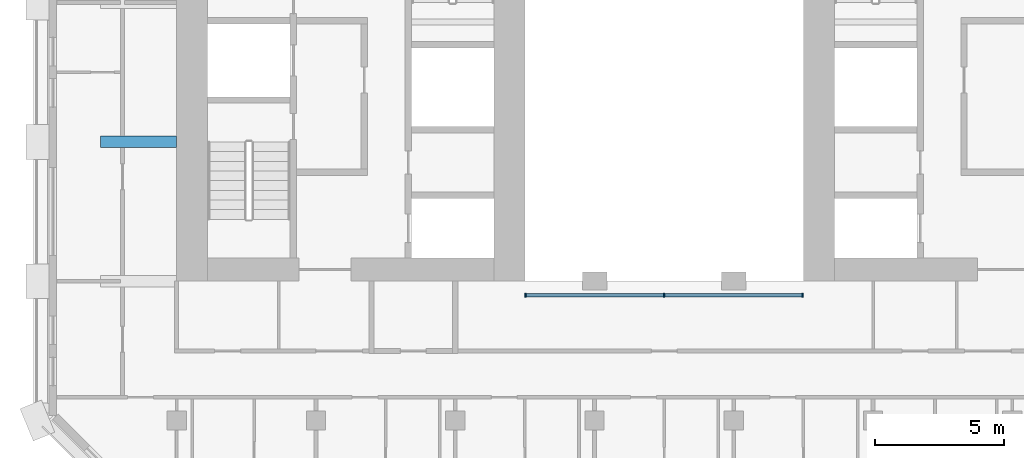
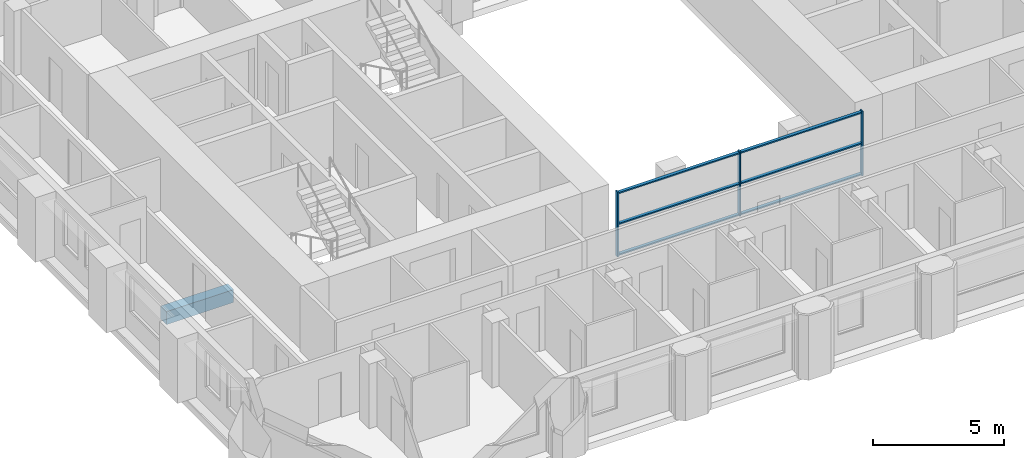
# One storey, part 2 of 14: 9 members, 1 beam, 1 element without a shape of its own.
"""IFC4 building model written with IfcOpenShell, lengths in metres."""

from ifc_helpers import new_model, si_unit, direction, frame, origin, origin_2d, place, context, subcontext, project, spatial, rectangle, extrude, material, material_profile, profile_set, type_object, element, aggregate, save


model = new_model("IFC4")

# Units and contexts
model_context = context("Model", 3, precision=1e-05, world=origin(), true_north=direction((0.0, 1.0)))
body_context = subcontext(model_context, "Body", "Model", "MODEL_VIEW")
ifc_project = project(units=[si_unit("LENGTHUNIT", "METRE"), si_unit("AREAUNIT", "SQUARE_METRE"), si_unit("VOLUMEUNIT", "CUBIC_METRE"), si_unit("PLANEANGLEUNIT", "RADIAN"), si_unit("MASSUNIT", "GRAM", prefix="KILO")], contexts=[model_context])

# Site, building, storey
site_placement = place(None, origin())
site = spatial("IfcSite", under=ifc_project, at=site_placement, CompositionType="ELEMENT")
building_placement = place(site_placement, origin())
building = spatial("IfcBuilding", under=site, at=building_placement, Name="Tabaq Tower and Sports Hall", CompositionType="ELEMENT")
storey_placement = place(building_placement, frame((0.0, 0.0, 213.699951171875)))
storey = spatial("IfcBuildingStorey", under=building, at=storey_placement, Name="L53", CompositionType="ELEMENT", Elevation=213.699951171875)

# Curtain wall, members
ifc_material_1 = material(Name="Aluminium alloy 6063-T6 framed glazing", Category="aluminium")
curtain_wall_type = type_object("IfcCurtainWallType", Name="CW1 curtain wall", PredefinedType="USERDEFINED", material=ifc_material_1)
curtain_wall_placement = place(storey_placement, origin())
curtain_wall = element("IfcCurtainWall", 1, at=curtain_wall_placement, inside=storey, type_object=curtain_wall_type, Name="Atrium glazing L53 S", ObjectType="ATRIUM ENCLOSURE", PredefinedType="USERDEFINED")
ifc_material_2 = material(Name="Aluminium alloy 6063-T6", Category="aluminium")
ifc_material_profile_1 = material_profile(ifc_material_2, rectangle(XDim=0.159912109375, YDim=0.06005859375, at=origin_2d()), Name="MULLION 160x60")
ifc_profile_set_1 = profile_set([ifc_material_profile_1], Name="Aluminium alloy 6063-T6")
member_type_1 = type_object("IfcMemberType", Name="CW1 mullion 160x60", PredefinedType="MULLION", material=ifc_profile_set_1)
member_1_placement = place(storey_placement, frame((18.929931640625, 15.64990234375, 0.0), z_axis=(0.0, 0.0, 1.0), x_axis=(0.0, 1.0, 0.0)))
member_1 = element("IfcMember", 2, at=member_1_placement, type_object=member_type_1, Name="CW1 mullion 1", PredefinedType="MULLION", context=body_context, shape_type="SweptSolid", body=[
    extrude(rectangle(XDim=0.159912109375, YDim=0.06005859375, at=origin_2d()), origin(), (0.0, 0.0, 1.0), 3.0),
])
member_2_placement = place(storey_placement, frame((24.300048828125, 15.64990234375, 0.0), z_axis=(0.0, 0.0, 1.0), x_axis=(0.0, 1.0, 0.0)))
member_2 = element("IfcMember", 3, at=member_2_placement, type_object=member_type_1, Name="CW1 mullion 2", PredefinedType="MULLION", context=body_context, shape_type="SweptSolid", body=[
    extrude(rectangle(XDim=0.159912109375, YDim=0.06005859375, at=origin_2d()), origin(), (0.0, 0.0, 1.0), 3.0),
])
member_3_placement = place(storey_placement, frame((29.669921875, 15.64990234375, 0.0), z_axis=(0.0, 0.0, 1.0), x_axis=(0.0, 1.0, 0.0)))
member_3 = element("IfcMember", 4, at=member_3_placement, type_object=member_type_1, Name="CW1 mullion 3", PredefinedType="MULLION", context=body_context, shape_type="SweptSolid", body=[
    extrude(rectangle(XDim=0.159912109375, YDim=0.06005859375, at=origin_2d()), origin(), (0.0, 0.0, 1.0), 3.0),
])
ifc_material_3 = material(Name="Aluminium alloy 6063-T6", Category="aluminium")
ifc_material_profile_2 = material_profile(ifc_material_3, rectangle(XDim=0.139892578125, YDim=0.06005859375, at=origin_2d()), Name="TRANSOM 140x60")
ifc_profile_set_2 = profile_set([ifc_material_profile_2], Name="Aluminium alloy 6063-T6")
member_type_2 = type_object("IfcMemberType", Name="CW1 transom 140x60", PredefinedType="USERDEFINED", material=ifc_profile_set_2)
member_4_placement = place(storey_placement, frame((18.9599609375, 15.64990234375, 0.070068359375), z_axis=(1.0, 0.0, 0.0), x_axis=(0.0, 1.0, 0.0)))
member_4 = element("IfcMember", 5, at=member_4_placement, type_object=member_type_2, Name="CW1 transom 1.1", ObjectType="TRANSOM", PredefinedType="USERDEFINED", context=body_context, shape_type="SweptSolid", body=[
    extrude(rectangle(XDim=0.139892578125, YDim=0.06005859375, at=origin_2d()), origin(), (0.0, 0.0, 1.0), 5.31005859375),
])
member_5_placement = place(storey_placement, frame((18.9599609375, 15.64990234375, 1.5), z_axis=(1.0, 0.0, 0.0), x_axis=(0.0, 1.0, 0.0)))
member_5 = element("IfcMember", 6, at=member_5_placement, type_object=member_type_2, Name="CW1 transom 1.2", ObjectType="TRANSOM", PredefinedType="USERDEFINED", context=body_context, shape_type="SweptSolid", body=[
    extrude(rectangle(XDim=0.139892578125, YDim=0.06005859375, at=origin_2d()), origin(), (0.0, 0.0, 1.0), 5.31005859375),
])
member_6_placement = place(storey_placement, frame((18.9599609375, 15.64990234375, 2.929931640625), z_axis=(1.0, 0.0, 0.0), x_axis=(0.0, 1.0, 0.0)))
member_6 = element("IfcMember", 7, at=member_6_placement, type_object=member_type_2, Name="CW1 transom 1.3", ObjectType="TRANSOM", PredefinedType="USERDEFINED", context=body_context, shape_type="SweptSolid", body=[
    extrude(rectangle(XDim=0.139892578125, YDim=0.06005859375, at=origin_2d()), origin(), (0.0, 0.0, 1.0), 5.31005859375),
])
member_7_placement = place(storey_placement, frame((24.330078125, 15.64990234375, 0.070068359375), z_axis=(1.0, 0.0, 0.0), x_axis=(0.0, 1.0, 0.0)))
member_7 = element("IfcMember", 8, at=member_7_placement, type_object=member_type_2, Name="CW1 transom 2.1", ObjectType="TRANSOM", PredefinedType="USERDEFINED", context=body_context, shape_type="SweptSolid", body=[
    extrude(rectangle(XDim=0.139892578125, YDim=0.06005859375, at=origin_2d()), origin(), (0.0, 0.0, 1.0), 5.309814453125),
])
member_8_placement = place(storey_placement, frame((24.330078125, 15.64990234375, 1.5), z_axis=(1.0, 0.0, 0.0), x_axis=(0.0, 1.0, 0.0)))
member_8 = element("IfcMember", 9, at=member_8_placement, type_object=member_type_2, Name="CW1 transom 2.2", ObjectType="TRANSOM", PredefinedType="USERDEFINED", context=body_context, shape_type="SweptSolid", body=[
    extrude(rectangle(XDim=0.139892578125, YDim=0.06005859375, at=origin_2d()), origin(), (0.0, 0.0, 1.0), 5.309814453125),
])
member_9_placement = place(storey_placement, frame((24.330078125, 15.64990234375, 2.929931640625), z_axis=(1.0, 0.0, 0.0), x_axis=(0.0, 1.0, 0.0)))
member_9 = element("IfcMember", 10, at=member_9_placement, type_object=member_type_2, Name="CW1 transom 2.3", ObjectType="TRANSOM", PredefinedType="USERDEFINED", context=body_context, shape_type="SweptSolid", body=[
    extrude(rectangle(XDim=0.139892578125, YDim=0.06005859375, at=origin_2d()), origin(), (0.0, 0.0, 1.0), 5.309814453125),
])
aggregate(curtain_wall, [member_1, member_2, member_3, member_4, member_5, member_6, member_7, member_8, member_9])

# Beam
ifc_material_4 = material(Name="Concrete C40/50", Category="concrete")
ifc_material_profile_3 = material_profile(ifc_material_4, rectangle(XDim=0.449951171875, YDim=0.60009765625, at=origin_2d()), Name="CB 450x600")
ifc_profile_set_3 = profile_set([ifc_material_profile_3], Name="Concrete C40/50")
beam_type = type_object("IfcBeamType", Name="PT CANTILEVER BEAM CB 450x600 C40/50", PredefinedType="BEAM", material=ifc_profile_set_3)
beam_placement = place(storey_placement, frame((2.449951171875, 21.60009765625, -0.599853515625), z_axis=(1.0, 0.0, 0.0), x_axis=(0.0, 1.0, 0.0)))
element("IfcBeam", 11, at=beam_placement, inside=storey, type_object=beam_type, Name="Cantilever Beam L53 W4 span 1", PredefinedType="BEAM", context=body_context, shape_type="SweptSolid", body=[
    extrude(rectangle(XDim=0.449951171875, YDim=0.60009765625, at=origin_2d()), origin(), (0.0, 0.0, 1.0), 2.949951171875),
])

save(model, "model.ifc")
